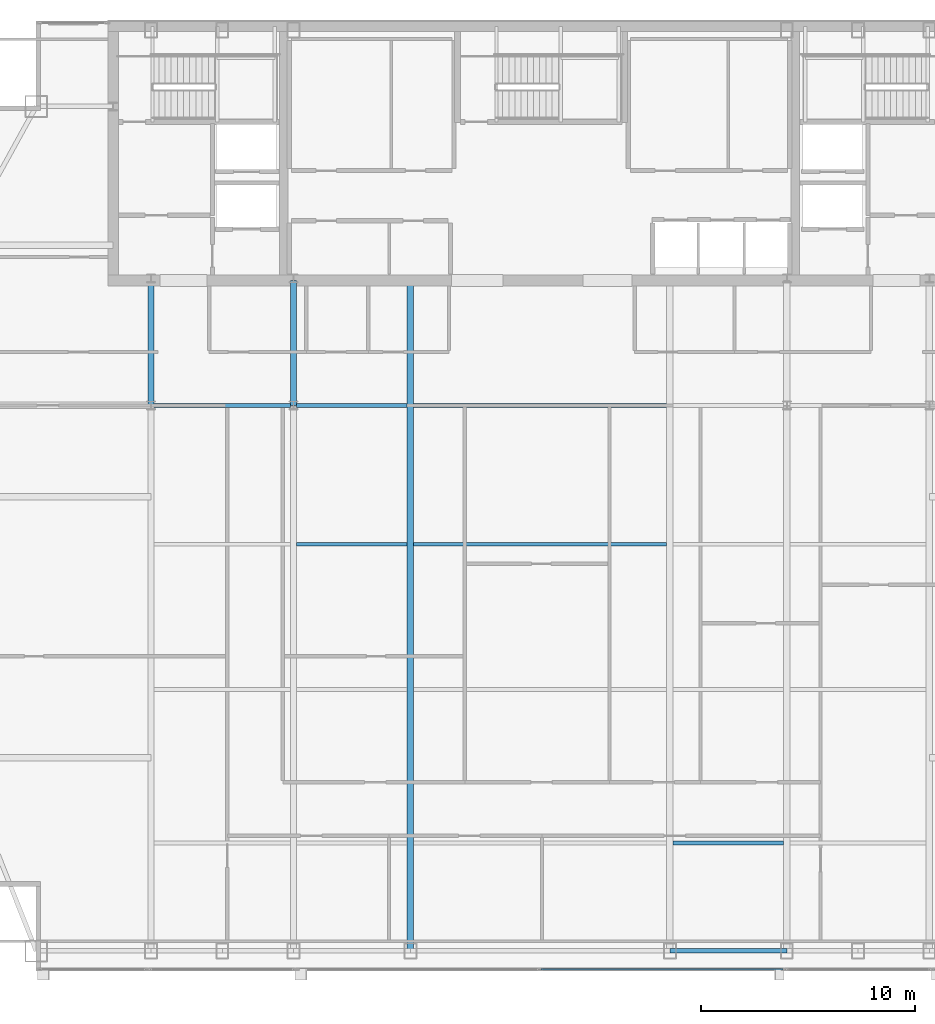
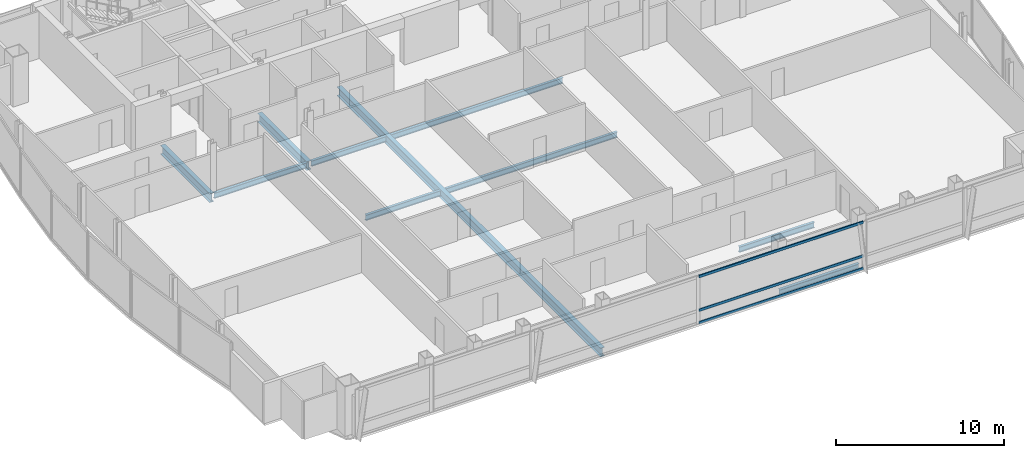
# One storey, part 13 of 30: 10 beams, 3 members, 1 element without a shape of its own.
"""IFC4 building model written with IfcOpenShell, lengths in metres."""

from ifc_helpers import new_model, si_unit, direction, frame, origin, origin_2d, place, context, subcontext, project, spatial, hollow_rectangle, i_section, extrude, material, material_profile, profile_set, type_object, element, aggregate, save


model = new_model("IFC4")

# Units and contexts
model_context = context("Model", 3, precision=1e-05, world=origin(), true_north=direction((0.0, 1.0)))
body_context = subcontext(model_context, "Body", "Model", "MODEL_VIEW")
ifc_project = project(units=[si_unit("LENGTHUNIT", "METRE"), si_unit("AREAUNIT", "SQUARE_METRE"), si_unit("VOLUMEUNIT", "CUBIC_METRE"), si_unit("PLANEANGLEUNIT", "RADIAN"), si_unit("MASSUNIT", "GRAM", prefix="KILO")], contexts=[model_context])

# Site, building, storey
site_placement = place(None, origin())
site = spatial("IfcSite", under=ifc_project, at=site_placement, CompositionType="ELEMENT")
building_placement = place(site_placement, origin())
building = spatial("IfcBuilding", under=site, at=building_placement, Name="Khoronbel Lancet Exchange", CompositionType="ELEMENT")
storey_placement = place(building_placement, frame((0.0, 0.0, 277.0)))
storey = spatial("IfcBuildingStorey", under=building, at=storey_placement, Name="L71", CompositionType="ELEMENT", Elevation=277.0)

# Beams
ifc_material_1 = material(Name="Steel S355", Category="steel")
ifc_material_profile_1 = material_profile(ifc_material_1, i_section(OverallWidth=0.300048828125, OverallDepth=0.64990234375, WebThickness=0.01611328125, FlangeThickness=0.031005859375, at=origin_2d()), Name="HEB 650")
ifc_profile_set_1 = profile_set([ifc_material_profile_1], Name="Steel S355")
beam_type_1 = type_object("IfcBeamType", Name="BM-BG4", PredefinedType="BEAM", material=ifc_profile_set_1)
for number, where, z_axis, x_axis, name in (
    (1, (18.22509765625, 35.699951171875, -0.485107421875), (0.0, 1.0, 0.0), (-1.0, 0.0, 0.0), "Level L71 spine tie girder GN1"),
    (2, (24.89990234375, 35.699951171875, -0.485107421875), (0.0, 1.0, 0.0), (-1.0, 0.0, 0.0), "Level L71 spine tie girder GN2"),
):
    element("IfcBeam", number, at=place(storey_placement, frame(where, z_axis=z_axis, x_axis=x_axis)), inside=storey, type_object=beam_type_1, Name=name, PredefinedType="BEAM", context=body_context, shape_type="SweptSolid", body=[
        extrude(i_section(OverallWidth=0.300048828125, OverallDepth=0.64990234375, WebThickness=0.01611328125, FlangeThickness=0.031005859375, at=origin_2d()), origin(), (0.0, 0.0, 1.0), 5.85009765625),
    ])
beam_1_placement = place(storey_placement, frame((30.375, 10.14990234375, -0.485107421875), z_axis=(0.0, 1.0, 0.0), x_axis=(-1.0, 0.0, 0.0)))
element("IfcBeam", 3, at=beam_1_placement, inside=storey, type_object=beam_type_1, Name="Level L71 primary floor girder G3", PredefinedType="BEAM", context=body_context, shape_type="SweptSolid", body=[
    extrude(i_section(OverallWidth=0.300048828125, OverallDepth=0.64990234375, WebThickness=0.01611328125, FlangeThickness=0.031005859375, at=origin_2d()), origin(), (0.0, 0.0, 1.0), 31.400146484375),
])
ifc_material_profile_2 = material_profile(ifc_material_1, i_section(OverallWidth=0.179931640625, OverallDepth=0.39990234375, WebThickness=0.008544921875, FlangeThickness=0.013427734375, at=origin_2d()), Name="IPE 400")
ifc_profile_set_2 = profile_set([ifc_material_profile_2], Name="Steel S355")
beam_type_2 = type_object("IfcBeamType", Name="BM-BJ5", PredefinedType="JOIST", material=ifc_profile_set_2)
for number, where, z_axis, x_axis, name in (
    (4, (42.675048828125, 15.199951171875, -0.360107421875), (1.0, 0.0, 0.0), (0.0, 1.0, 0.0), "Level L71 secondary composite joist J04"),
    (5, (25.050048828125, 29.199951171875, -0.360107421875), (1.0, 0.0, 0.0), (0.0, 1.0, 0.0), "Level L71 secondary composite joist J12"),
):
    element("IfcBeam", number, at=place(storey_placement, frame(where, z_axis=z_axis, x_axis=x_axis)), inside=storey, type_object=beam_type_2, Name=name, PredefinedType="JOIST", context=body_context, shape_type="SweptSolid", body=[
        extrude(i_section(OverallWidth=0.179931640625, OverallDepth=0.39990234375, WebThickness=0.008544921875, FlangeThickness=0.013427734375, at=origin_2d()), origin(), (0.0, 0.0, 1.0), 5.175048828125),
    ])
beam_2_placement = place(storey_placement, frame((30.52490234375, 29.199951171875, -0.360107421875), z_axis=(1.0, 0.0, 0.0), x_axis=(0.0, 1.0, 0.0)))
element("IfcBeam", 6, at=beam_2_placement, inside=storey, type_object=beam_type_2, Name="Level L71 secondary composite joist J13", PredefinedType="JOIST", context=body_context, shape_type="SweptSolid", body=[
    extrude(i_section(OverallWidth=0.179931640625, OverallDepth=0.39990234375, WebThickness=0.008544921875, FlangeThickness=0.013427734375, at=origin_2d()), origin(), (0.0, 0.0, 1.0), 11.85009765625),
])
beam_3_placement = place(storey_placement, frame((18.375, 35.699951171875, -0.360107421875), z_axis=(1.0, 0.0, 0.0), x_axis=(0.0, 1.0, 0.0)))
element("IfcBeam", 7, at=beam_3_placement, inside=storey, type_object=beam_type_2, Name="Level L71 secondary composite joist J16", PredefinedType="JOIST", context=body_context, shape_type="SweptSolid", body=[
    extrude(i_section(OverallWidth=0.179931640625, OverallDepth=0.39990234375, WebThickness=0.008544921875, FlangeThickness=0.013427734375, at=origin_2d()), origin(), (0.0, 0.0, 1.0), 6.375),
])
beam_4_placement = place(storey_placement, frame((25.050048828125, 35.699951171875, -0.360107421875), z_axis=(1.0, 0.0, 0.0), x_axis=(0.0, 1.0, 0.0)))
element("IfcBeam", 8, at=beam_4_placement, inside=storey, type_object=beam_type_2, Name="Level L71 secondary composite joist J17", PredefinedType="JOIST", context=body_context, shape_type="SweptSolid", body=[
    extrude(i_section(OverallWidth=0.179931640625, OverallDepth=0.39990234375, WebThickness=0.008544921875, FlangeThickness=0.013427734375, at=origin_2d()), origin(), (0.0, 0.0, 1.0), 5.175048828125),
])
beam_5_placement = place(storey_placement, frame((30.52490234375, 35.699951171875, -0.360107421875), z_axis=(1.0, 0.0, 0.0), x_axis=(0.0, 1.0, 0.0)))
element("IfcBeam", 9, at=beam_5_placement, inside=storey, type_object=beam_type_2, Name="Level L71 secondary composite joist J18", PredefinedType="JOIST", context=body_context, shape_type="SweptSolid", body=[
    extrude(i_section(OverallWidth=0.179931640625, OverallDepth=0.39990234375, WebThickness=0.008544921875, FlangeThickness=0.013427734375, at=origin_2d()), origin(), (0.0, 0.0, 1.0), 11.85009765625),
])
ifc_material_profile_3 = material_profile(ifc_material_1, i_section(OverallWidth=0.2099609375, OverallDepth=0.550048828125, WebThickness=0.010986328125, FlangeThickness=0.01708984375, at=origin_2d()), Name="IPE 550")
ifc_profile_set_3 = profile_set([ifc_material_profile_3], Name="Steel S355")
beam_type_3 = type_object("IfcBeamType", Name="BM-BSP3", PredefinedType="SPANDREL", material=ifc_profile_set_3)
beam_6_placement = place(storey_placement, frame((42.52490234375, 10.14990234375, -0.43505859375), z_axis=(1.0, 0.0, 0.0), x_axis=(0.0, 1.0, 0.0)))
element("IfcBeam", 10, at=beam_6_placement, inside=storey, type_object=beam_type_3, Name="Level L71 perimeter spandrel beam SP06", PredefinedType="SPANDREL", context=body_context, shape_type="SweptSolid", body=[
    extrude(i_section(OverallWidth=0.2099609375, OverallDepth=0.550048828125, WebThickness=0.010986328125, FlangeThickness=0.01708984375, at=origin_2d()), origin(), (0.0, 0.0, 1.0), 5.47509765625),
])

# Curtain wall, members
ifc_material_2 = material(Name="Low-E Solar Control Insulating Glass", Category="glass")
curtain_wall_type = type_object("IfcCurtainWallType", Name="CW-3", PredefinedType="NOTDEFINED", material=ifc_material_2)
curtain_wall_placement = place(storey_placement, origin())
curtain_wall = element("IfcCurtainWall", 11, at=curtain_wall_placement, inside=storey, type_object=curtain_wall_type, Name="Unitised curtain wall CW-L71-SCV", PredefinedType="NOTDEFINED")
ifc_material_3 = material(Name="Bronze-Anodised Aluminium 6063-T6", Category="aluminium")
ifc_material_profile_4 = material_profile(ifc_material_3, hollow_rectangle(XDim=0.0849609375, YDim=0.179931640625, WallThickness=0.0048828125, at=origin_2d()), Name="ALU TRANSOM 85x180")
ifc_profile_set_4 = profile_set([ifc_material_profile_4], Name="Bronze-Anodised Aluminium 6063-T6")
member_type = type_object("IfcMemberType", Name="MEM-CWT1", PredefinedType="USERDEFINED", material=ifc_profile_set_4)
member_1_placement = place(storey_placement, frame((36.492431640625, 9.2900390625, 0.04248046875), z_axis=(1.0, 0.0, 0.0), x_axis=(0.0, 1.0, 0.0)))
member_1 = element("IfcMember", 12, at=member_1_placement, type_object=member_type, Name="CW3 transom 2.1", ObjectType="TRANSOM", PredefinedType="USERDEFINED", context=body_context, shape_type="SweptSolid", body=[
    extrude(hollow_rectangle(XDim=0.0849609375, YDim=0.179931640625, WallThickness=0.0048828125, at=origin_2d()), origin(), (0.0, 0.0, 1.0), 11.322509765625),
])
member_2_placement = place(storey_placement, frame((36.492431640625, 9.2900390625, 0.949951171875), z_axis=(1.0, 0.0, 0.0), x_axis=(0.0, 1.0, 0.0)))
member_2 = element("IfcMember", 13, at=member_2_placement, type_object=member_type, Name="CW3 transom 2.2", ObjectType="TRANSOM", PredefinedType="USERDEFINED", context=body_context, shape_type="SweptSolid", body=[
    extrude(hollow_rectangle(XDim=0.0849609375, YDim=0.179931640625, WallThickness=0.0048828125, at=origin_2d()), origin(), (0.0, 0.0, 1.0), 11.322509765625),
])
member_3_placement = place(storey_placement, frame((36.492431640625, 9.2900390625, 3.3974609375), z_axis=(1.0, 0.0, 0.0), x_axis=(0.0, 1.0, 0.0)))
member_3 = element("IfcMember", 14, at=member_3_placement, type_object=member_type, Name="CW3 transom 2.3", ObjectType="TRANSOM", PredefinedType="USERDEFINED", context=body_context, shape_type="SweptSolid", body=[
    extrude(hollow_rectangle(XDim=0.0849609375, YDim=0.179931640625, WallThickness=0.0048828125, at=origin_2d()), origin(), (0.0, 0.0, 1.0), 11.322509765625),
])
aggregate(curtain_wall, [member_1, member_2, member_3])

save(model, "model.ifc")
